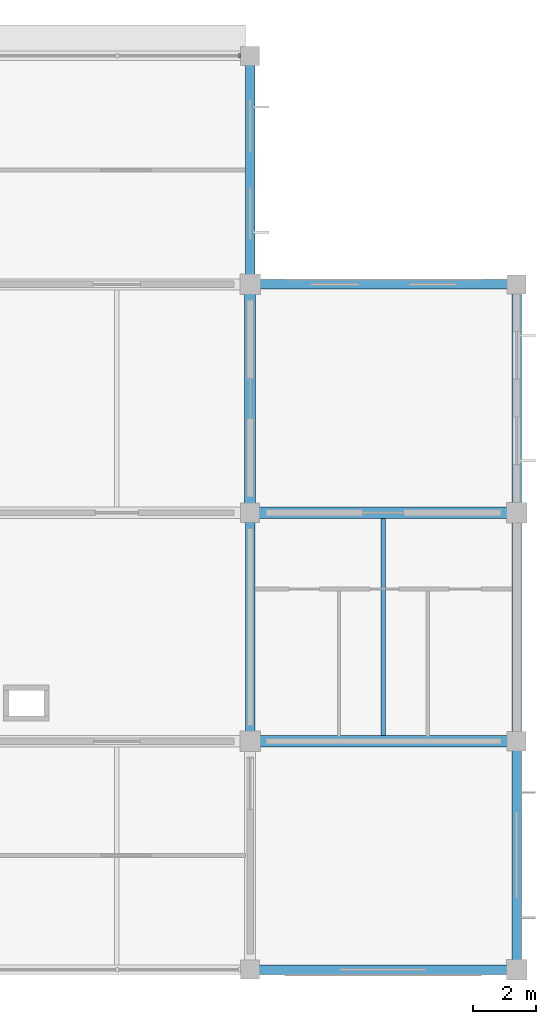
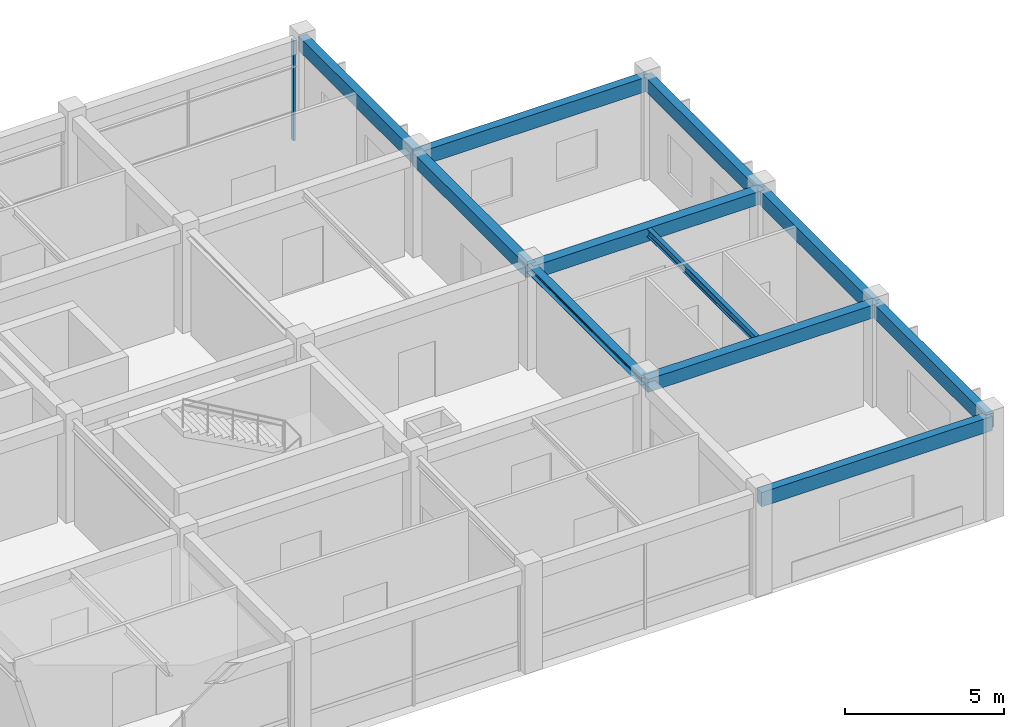
# One storey, part 6 of 13: 11 beams, 1 member, 1 element without a shape of its own.
"""IFC4 building model written with IfcOpenShell, lengths in metres."""

from ifc_helpers import new_model, si_unit, derived_unit, direction, frame, origin, origin_2d, place, context, subcontext, project, spatial, rectangle, i_section, extrude, material, material_profile, profile_set, type_object, element, aggregate, save


model = new_model("IFC4")

# Units and contexts
model_context = context("Model", 3, precision=1e-05, world=origin(), true_north=direction((0.0, 1.0)))
body_context = subcontext(model_context, "Body", "Model", "MODEL_VIEW")
ifc_project = project(units=[si_unit("LENGTHUNIT", "METRE"), si_unit("AREAUNIT", "SQUARE_METRE"), si_unit("VOLUMEUNIT", "CUBIC_METRE"), si_unit("PLANEANGLEUNIT", "RADIAN"), si_unit("MASSUNIT", "GRAM", prefix="KILO"), derived_unit("THERMALTRANSMITTANCEUNIT", [(si_unit("MASSUNIT", "GRAM", prefix="KILO"), 1), (si_unit("TIMEUNIT", "SECOND"), -3), (si_unit("THERMODYNAMICTEMPERATUREUNIT", "KELVIN"), -1)])], contexts=[model_context])

# Site, building, storey
site_placement = place(None, origin())
site = spatial("IfcSite", under=ifc_project, at=site_placement, CompositionType="ELEMENT")
building_placement = place(site_placement, origin())
building = spatial("IfcBuilding", under=site, at=building_placement, Name="Veldstrom Oceanarium and Marine Research Institute", CompositionType="ELEMENT")
storey_placement = place(building_placement, frame((0.0, 0.0, 56.39990234375)))
storey = spatial("IfcBuildingStorey", under=building, at=storey_placement, Name="L12", CompositionType="ELEMENT", Elevation=56.39990234375)

# Curtain wall, member
ifc_material_1 = material(Name="Anodised Aluminium Framing", Category="aluminium")
curtain_wall_type = type_object("IfcCurtainWallType", Name="ARC-CW-CW04", PredefinedType="USERDEFINED", material=ifc_material_1)
curtain_wall_placement = place(storey_placement, origin())
curtain_wall = element("IfcCurtainWall", 1, at=curtain_wall_placement, inside=storey, type_object=curtain_wall_type, Name="Curtain Wall CW04 CW-L12-166", ObjectType="Curtain wall", PredefinedType="USERDEFINED")
ifc_material_2 = material(Name="Anodised Aluminium Framing", Category="aluminium")
ifc_material_profile_1 = material_profile(ifc_material_2, rectangle(XDim=0.06494140625, YDim=0.14990234375, at=origin_2d()), Name="ALU-MUL-65x150")
ifc_profile_set_1 = profile_set([ifc_material_profile_1], Name="Anodised Aluminium Framing")
member_type = type_object("IfcMemberType", Name="ARC-MUL-ML2", PredefinedType="MULLION", material=ifc_profile_set_1)
member_placement = place(storey_placement, frame((108.860107421875, 72.0, 0.0), z_axis=(0.0, 0.0, 1.0), x_axis=(1.0, 0.0, 0.0)))
member = element("IfcMember", 2, at=member_placement, type_object=member_type, Name="Curtain Wall Mullion CW-L12-166-MUL-3", PredefinedType="MULLION", context=body_context, shape_type="SweptSolid", body=[
    extrude(rectangle(XDim=0.06494140625, YDim=0.14990234375, at=origin_2d()), origin(), (0.0, 0.0, 1.0), 3.85009765625),
])
aggregate(curtain_wall, [member])

# Beams
ifc_material_3 = material(Name="Concrete C40/50", Category="concrete")
ifc_material_profile_2 = material_profile(ifc_material_3, rectangle(XDim=0.35009765625, YDim=0.5, at=origin_2d()), Name="RC-BM-350x500")
ifc_profile_set_2 = profile_set([ifc_material_profile_2], Name="Concrete C40/50")
beam_type_1 = type_object("IfcBeamType", Name="STR-BM-B08", PredefinedType="BEAM", material=ifc_profile_set_2)
for number, where, z_axis, x_axis, name in (
    (3, (109.199951171875, 50.39990234375, 3.59521484375), (1.0, 0.0, 0.0), (0.0, 1.0, 0.0), "Primary Beam B08 L12-2689"),
    (4, (109.199951171875, 57.60009765625, 3.59521484375), (1.0, 0.0, 0.0), (0.0, 1.0, 0.0), "Primary Beam B08 L12-2690"),
):
    element("IfcBeam", number, at=place(storey_placement, frame(where, z_axis=z_axis, x_axis=x_axis)), inside=storey, type_object=beam_type_1, Name=name, PredefinedType="BEAM", context=body_context, shape_type="SweptSolid", body=[
        extrude(rectangle(XDim=0.35009765625, YDim=0.5, at=origin_2d()), origin(), (0.0, 0.0, 1.0), 8.400146484375),
    ])
beam_1_placement = place(storey_placement, frame((109.199951171875, 57.60009765625, 3.59521484375), z_axis=(0.0, 1.0, 0.0), x_axis=(-1.0, 0.0, 0.0)))
element("IfcBeam", 5, at=beam_1_placement, inside=storey, type_object=beam_type_1, Name="Primary Beam B08 L12-2710", PredefinedType="BEAM", context=body_context, shape_type="SweptSolid", body=[
    extrude(rectangle(XDim=0.35009765625, YDim=0.5, at=origin_2d()), origin(), (0.0, 0.0, 1.0), 7.199951171875),
])
ifc_material_4 = material(Name="Steel S355JR", Category="steel")
ifc_material_profile_3 = material_profile(ifc_material_4, i_section(OverallWidth=0.300048828125, OverallDepth=0.2900390625, WebThickness=0.008544921875, FlangeThickness=0.013916015625, FilletRadius=0.027099609375, at=origin_2d()), Name="HEA 300")
ifc_profile_set_3 = profile_set([ifc_material_profile_3], Name="Steel S355JR")
beam_type_2 = type_object("IfcBeamType", Name="STR-BM-SB10", PredefinedType="BEAM", material=ifc_profile_set_3)
beam_2_placement = place(storey_placement, frame((109.199951171875, 50.39990234375, 3.7001953125), z_axis=(0.0, 1.0, 0.0), x_axis=(-1.0, 0.0, 0.0)))
element("IfcBeam", 6, at=beam_2_placement, inside=storey, type_object=beam_type_2, Name="Steel Tie Beam SB10 L12-2709", PredefinedType="BEAM", context=body_context, shape_type="SweptSolid", body=[
    extrude(i_section(OverallWidth=0.300048828125, OverallDepth=0.2900390625, WebThickness=0.008544921875, FlangeThickness=0.013916015625, FilletRadius=0.027099609375, at=origin_2d()), origin(), (0.0, 0.0, 1.0), 7.2001953125),
])
ifc_material_5 = material(Name="Steel S355JR", Category="steel")
ifc_material_profile_4 = material_profile(ifc_material_5, i_section(OverallWidth=0.14990234375, OverallDepth=0.300048828125, WebThickness=0.007080078125, FlangeThickness=0.0107421875, FilletRadius=0.014892578125, at=origin_2d()), Name="IPE 300")
ifc_profile_set_4 = profile_set([ifc_material_profile_4], Name="Steel S355JR")
beam_type_3 = type_object("IfcBeamType", Name="STR-JST-SJ2", PredefinedType="JOIST", material=ifc_profile_set_4)
beam_3_placement = place(storey_placement, frame((113.39990234375, 50.574951171875, 3.695068359375), z_axis=(0.0, 1.0, 0.0), x_axis=(-1.0, 0.0, 0.0)))
element("IfcBeam", 7, at=beam_3_placement, inside=storey, type_object=beam_type_3, Name="Secondary Joist SJ2 L12-2720", PredefinedType="JOIST", context=body_context, shape_type="SweptSolid", body=[
    extrude(i_section(OverallWidth=0.14990234375, OverallDepth=0.300048828125, WebThickness=0.007080078125, FlangeThickness=0.0107421875, FilletRadius=0.014892578125, at=origin_2d()), origin(), (0.0, 0.0, 1.0), 6.85009765625),
])
ifc_material_6 = material(Name="Concrete C40/50", Category="concrete")
ifc_material_profile_5 = material_profile(ifc_material_6, rectangle(XDim=0.300048828125, YDim=0.550048828125, at=origin_2d()), Name="RC-SPN-300x550")
ifc_profile_set_5 = profile_set([ifc_material_profile_5], Name="Concrete C40/50")
beam_type_4 = type_object("IfcBeamType", Name="STR-SPN-SP2", PredefinedType="SPANDREL", material=ifc_profile_set_5)
for number, where, z_axis, x_axis, name in (
    (8, (109.199951171875, 43.199951171875, 3.570068359375), (1.0, 0.0, 0.0), (0.0, 1.0, 0.0), "Perimeter Spandrel SPB2 L12-2688"),
    (9, (109.199951171875, 64.800048828125, 3.570068359375), (1.0, 0.0, 0.0), (0.0, 1.0, 0.0), "Perimeter Spandrel SPB2 L12-2691"),
):
    element("IfcBeam", number, at=place(storey_placement, frame(where, z_axis=z_axis, x_axis=x_axis)), inside=storey, type_object=beam_type_4, Name=name, PredefinedType="SPANDREL", context=body_context, shape_type="SweptSolid", body=[
        extrude(rectangle(XDim=0.300048828125, YDim=0.550048828125, at=origin_2d()), origin(), (0.0, 0.0, 1.0), 8.400146484375),
    ])
for number, where, z_axis, x_axis, name in (
    (10, (109.199951171875, 64.800048828125, 3.64013671875), (0.0, 1.0, 0.0), (-1.0, 0.0, 0.0), "Perimeter Spandrel SPB2 L12-2711"),
    (11, (117.60009765625, 43.199951171875, 3.570068359375), (0.0, 1.0, 0.0), (-1.0, 0.0, 0.0), "Perimeter Spandrel SPB2 L12-2712"),
):
    element("IfcBeam", number, at=place(storey_placement, frame(where, z_axis=z_axis, x_axis=x_axis)), inside=storey, type_object=beam_type_4, Name=name, PredefinedType="SPANDREL", context=body_context, shape_type="SweptSolid", body=[
        extrude(rectangle(XDim=0.300048828125, YDim=0.550048828125, at=origin_2d()), origin(), (0.0, 0.0, 1.0), 7.199951171875),
    ])
beam_4_placement = place(storey_placement, frame((117.60009765625, 50.39990234375, 3.570068359375), z_axis=(0.0, 1.0, 0.0), x_axis=(-1.0, 0.0, 0.0)))
element("IfcBeam", 12, at=beam_4_placement, inside=storey, type_object=beam_type_4, Name="Perimeter Spandrel SPB2 L12-2713", PredefinedType="SPANDREL", context=body_context, shape_type="SweptSolid", body=[
    extrude(rectangle(XDim=0.300048828125, YDim=0.550048828125, at=origin_2d()), origin(), (0.0, 0.0, 1.0), 7.2001953125),
])
beam_5_placement = place(storey_placement, frame((117.60009765625, 57.60009765625, 3.570068359375), z_axis=(0.0, 1.0, 0.0), x_axis=(-1.0, 0.0, 0.0)))
element("IfcBeam", 13, at=beam_5_placement, inside=storey, type_object=beam_type_4, Name="Perimeter Spandrel SPB2 L12-2714", PredefinedType="SPANDREL", context=body_context, shape_type="SweptSolid", body=[
    extrude(rectangle(XDim=0.300048828125, YDim=0.550048828125, at=origin_2d()), origin(), (0.0, 0.0, 1.0), 7.199951171875),
])

save(model, "model.ifc")
